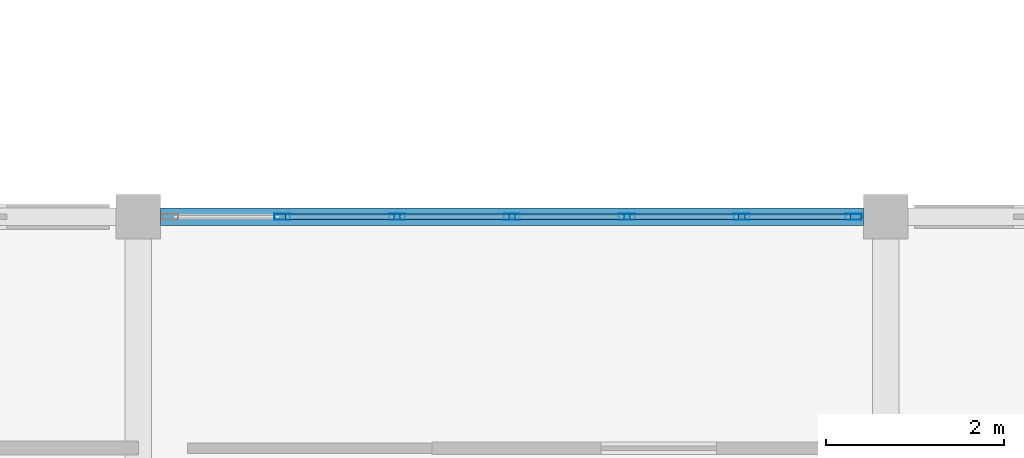
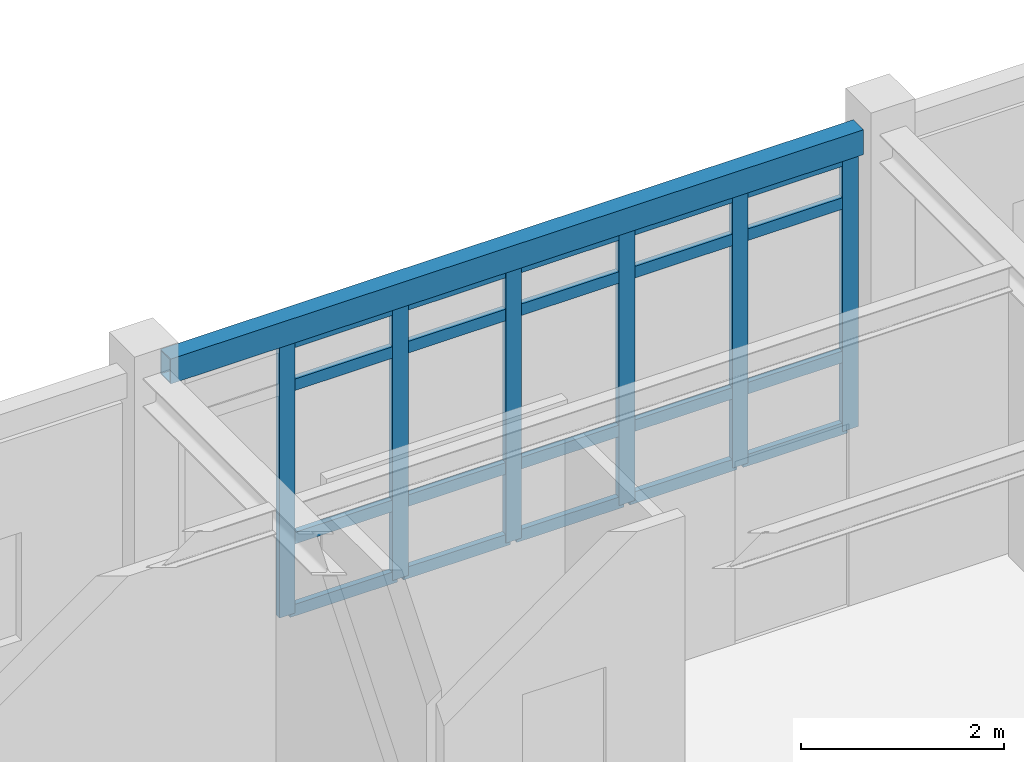
# One storey, part 36 of 86: 26 members, 1 beam, 1 element without a shape of its own.
"""IFC4 building model written with IfcOpenShell, lengths in metres."""

import ifcopenshell
import ifcopenshell.guid

model = None  # the IFC model being written
_history = None  # IfcOwnerHistory: only IFC2X3 demands one
_inside = {}  # id of a spatial element -> (the spatial element, [elements in it])
_under = {}  # id of a project, library or spatial element -> (it, [spatial elements below it])
_declared = {}  # id of a project -> (the project, [libraries it declares])
_typed = {}  # id of a type object -> (the type object, [elements of that type])
_made_of = {}  # id of a material, layer set ... -> (it, [elements and type objects made of it])


def new_model(schema):
    """Start an empty IFC model of exactly this schema.

    Asked for "IFC4X3", IfcOpenShell would pick the latest addendum, in which some entities
    have other attributes; the version numbers below select the first issue.
    IFC2X3 requires an IfcOwnerHistory on every rooted entity: one is made here for all.
    """
    global model, _history
    if schema == "IFC4X3":
        model = ifcopenshell.file(schema_version=(4, 3, 0, 0))
    else:
        model = ifcopenshell.file(schema=schema)
    _inside.clear()
    _under.clear()
    _declared.clear()
    _typed.clear()
    _made_of.clear()
    _history = None
    if model.schema == "IFC2X3":
        org = make("IfcOrganization", Name="unknown")
        user = make(
            "IfcPersonAndOrganization",
            ThePerson=make("IfcPerson", FamilyName="unknown"),
            TheOrganization=org,
        )
        app = make(
            "IfcApplication",
            ApplicationDeveloper=org,
            Version="unknown",
            ApplicationFullName="unknown",
            ApplicationIdentifier="unknown",
        )
        _history = make(
            "IfcOwnerHistory",
            OwningUser=user,
            OwningApplication=app,
            ChangeAction="ADDED",
            CreationDate=0,
        )
    return model


def make(cls, **values):
    """One entity of the class cls with the attributes given. An attribute that is None is left unset."""
    return model.create_entity(
        cls, **{name: value for name, value in values.items() if value is not None}
    )


def rooted(cls, **values):
    """An entity with a GlobalId (a new one), such as an element, a storey or a relation."""
    return make(cls, GlobalId=ifcopenshell.guid.new(), OwnerHistory=_history, **values)


def si_unit(unit_type, name, prefix=None):
    """IfcSIUnit, for example si_unit("LENGTHUNIT", "METRE", prefix="MILLI")."""
    return make("IfcSIUnit", UnitType=unit_type, Prefix=prefix, Name=name)


def assignment(units):
    """IfcUnitAssignment: the units of a project."""
    return None if units is None else make("IfcUnitAssignment", Units=units)


def point(xyz):
    """IfcCartesianPoint."""
    return None if xyz is None else make("IfcCartesianPoint", Coordinates=xyz)


def direction(xyz):
    """IfcDirection."""
    return None if xyz is None else make("IfcDirection", DirectionRatios=xyz)


def frame(location, z_axis=None, x_axis=None):
    """IfcAxis2Placement3D, a coordinate frame: its origin and axes. An axis left out is left unset."""
    return make(
        "IfcAxis2Placement3D",
        Location=point(location),
        Axis=direction(z_axis),
        RefDirection=direction(x_axis),
    )


def frame_2d(location, x_axis=None):
    """IfcAxis2Placement2D, a coordinate frame in the plane: its origin and x axis."""
    return make(
        "IfcAxis2Placement2D", Location=point(location), RefDirection=direction(x_axis)
    )


def origin():
    """The frame at (0, 0, 0) with its axes left unset."""
    return frame((0.0, 0.0, 0.0))


def origin_2d():
    """The frame at (0, 0) in the plane with its x axis left unset."""
    return frame_2d((0.0, 0.0))


def place(relative_to, where):
    """IfcLocalPlacement: puts the frame where relative to a parent placement (None: the world)."""
    return make(
        "IfcLocalPlacement", PlacementRelTo=relative_to, RelativePlacement=where
    )


def context(
    kind, dimensions, precision=None, world=None, true_north=None, identifier=None
):
    """IfcGeometricRepresentationContext, for example the 3D "Model" context."""
    return make(
        "IfcGeometricRepresentationContext",
        ContextIdentifier=identifier,
        ContextType=kind,
        CoordinateSpaceDimension=dimensions,
        Precision=precision,
        WorldCoordinateSystem=world,
        TrueNorth=true_north,
    )


def subcontext(parent, identifier, kind, view, scale=None):
    """IfcGeometricRepresentationSubContext, for example "Body" below "Model"."""
    return make(
        "IfcGeometricRepresentationSubContext",
        ContextIdentifier=identifier,
        ContextType=kind,
        ParentContext=parent,
        TargetScale=scale,
        TargetView=view,
    )


def project(units=None, contexts=None):
    """IfcProject with its units and contexts."""
    return rooted(
        "IfcProject",
        Name="project",
        RepresentationContexts=contexts,
        UnitsInContext=assignment(units),
    )


def spatial(cls, under=None, at=None, **own):
    """A site, building, storey or space (cls), placed at a placement, below another one or the project."""
    s = rooted(cls, ObjectPlacement=at, **own)
    if under is not None:
        _under.setdefault(under.id(), (under, []))[1].append(s)
    return s


def profile(cls, at=None, kind="AREA", **sizes):
    """A parametric profile (cls). Its sizes go by their IFC names, for example OverallWidth=200.0."""
    return make(cls, ProfileType=kind, Position=at, **sizes)


def hollow_rectangle(**sizes):
    """IfcRectangleHollowProfileDef."""
    return profile("IfcRectangleHollowProfileDef", **sizes)


def extrude(swept, where, along, depth):
    """IfcExtrudedAreaSolid: the profile swept, set in the frame where, extruded along a direction by depth."""
    return make(
        "IfcExtrudedAreaSolid",
        SweptArea=swept,
        Position=where,
        ExtrudedDirection=direction(along),
        Depth=depth,
    )


def shape(context_of_items, identifier, shape_type, items):
    """IfcShapeRepresentation: the items that make up one representation, for example the "Body"."""
    return make(
        "IfcShapeRepresentation",
        ContextOfItems=context_of_items,
        RepresentationIdentifier=identifier,
        RepresentationType=shape_type,
        Items=items,
    )


def material(Name=None, Category=None):
    """IfcMaterial."""
    return make("IfcMaterial", Name=Name, Category=Category)


def layer(
    of_material, thickness, ventilated=None, Name=None, Category=None, Priority=None
):
    """IfcMaterialLayer: one layer of a wall or slab, of a material (None: an air gap)."""
    return make(
        "IfcMaterialLayer",
        Material=of_material,
        LayerThickness=thickness,
        IsVentilated=ventilated,
        Name=Name,
        Category=Category,
        Priority=Priority,
    )


def layer_set(layers, Name=None):
    """IfcMaterialLayerSet."""
    return make("IfcMaterialLayerSet", MaterialLayers=layers, LayerSetName=Name)


def material_profile(
    of_material, cross_section, Name=None, Category=None, Priority=None
):
    """IfcMaterialProfile: a cross section and its material."""
    return make(
        "IfcMaterialProfile",
        Name=Name,
        Material=of_material,
        Profile=cross_section,
        Priority=Priority,
        Category=Category,
    )


def profile_set(profiles, Name=None, composite=None):
    """IfcMaterialProfileSet."""
    return make(
        "IfcMaterialProfileSet",
        Name=Name,
        MaterialProfiles=profiles,
        CompositeProfile=composite,
    )


def made_of(thing, what):
    """Note that an element or type object is made of a material, layer set ...; save() writes the relation."""
    if what is not None:
        _made_of.setdefault(what.id(), (what, []))[1].append(thing)
    return thing


def type_object(cls, material=None, **own):
    """A type object (cls), such as IfcWallType, which elements share."""
    return made_of(rooted(cls, **own), material)


def element(
    cls,
    number,
    at=None,
    inside=None,
    cuts=None,
    type_object=None,
    material=None,
    context=None,
    identifier="Body",
    shape_type=None,
    held_by="IfcProductDefinitionShape",
    body=None,
    shapes=None,
    **own,
):
    """One element of the class cls, such as IfcWall. Its Tag is "e" and its number.

    at: its placement. inside: the storey or other place that contains it. cuts: it is an
    opening in that element (IfcRelVoidsElement). A single representation is given by context,
    identifier, shape_type and body (its items); several are given by shapes. held_by: the class
    of the entity that holds the representations. save() writes the other relations.
    """
    e = rooted(cls, Tag="e%d" % number, ObjectPlacement=at, **own)
    if body is not None:
        shapes = [shape(context, identifier, shape_type, body)]
    if shapes is not None:
        e.Representation = make(held_by, Representations=shapes)
    if inside is not None:
        _inside.setdefault(inside.id(), (inside, []))[1].append(e)
    if cuts is not None:
        rooted(
            "IfcRelVoidsElement", RelatingBuildingElement=cuts, RelatedOpeningElement=e
        )
    if type_object is not None:
        _typed.setdefault(type_object.id(), (type_object, []))[1].append(e)
    return made_of(e, material)


def aggregate(whole, parts):
    """IfcRelAggregates: a whole, such as a stair, and the parts it consists of."""
    return rooted("IfcRelAggregates", RelatingObject=whole, RelatedObjects=parts)


def save(model, path):
    """Write the relations noted so far, then the file.

    IfcRelAggregates (storeys below a building ...), IfcRelContainedInSpatialStructure (elements
    in a storey), IfcRelDefinesByType, IfcRelAssociatesMaterial and IfcRelDeclares: one each for
    every whole, place, type object, material and project.
    """
    for whole, parts in _under.values():
        aggregate(whole, parts)
    for where, things in _inside.values():
        rooted(
            "IfcRelContainedInSpatialStructure",
            RelatedElements=things,
            RelatingStructure=where,
        )
    for kind, things in _typed.values():
        rooted("IfcRelDefinesByType", RelatedObjects=things, RelatingType=kind)
    for what, things in _made_of.values():
        rooted("IfcRelAssociatesMaterial", RelatedObjects=things, RelatingMaterial=what)
    for by, libraries in _declared.values():
        rooted("IfcRelDeclares", RelatingContext=by, RelatedDefinitions=libraries)
    model.write(path)


model = new_model("IFC4")

# Units and contexts
model_context = context("Model", 3, precision=1e-05, world=origin(), true_north=direction((0.0, 1.0)))
body_context = subcontext(model_context, "Body", "Model", "MODEL_VIEW")
ifc_project = project(units=[si_unit("LENGTHUNIT", "METRE"), si_unit("AREAUNIT", "SQUARE_METRE"), si_unit("VOLUMEUNIT", "CUBIC_METRE"), si_unit("PLANEANGLEUNIT", "RADIAN"), si_unit("MASSUNIT", "GRAM", prefix="KILO")], contexts=[model_context])

# Site, building, storey
site_placement = place(None, origin())
site = spatial("IfcSite", under=ifc_project, at=site_placement, CompositionType="ELEMENT")
building_placement = place(site_placement, origin())
building = spatial("IfcBuilding", under=site, at=building_placement, Name="Bramfleet General Hospital", CompositionType="ELEMENT")
storey_placement = place(building_placement, frame((0.0, 0.0, 18.60009765625)))
storey = spatial("IfcBuildingStorey", under=building, at=storey_placement, Name="L04", CompositionType="ELEMENT", Elevation=18.60009765625)

# Beam
ifc_material_1 = material(Name="Steel S355", Category="steel")
ifc_material_profile_1 = material_profile(ifc_material_1, hollow_rectangle(XDim=0.199951171875, YDim=0.300048828125, WallThickness=0.012451171875, at=origin_2d()), Name="RHS 300x200x12.5")
ifc_profile_set_1 = profile_set([ifc_material_profile_1], Name="Steel S355")
beam_type = type_object("IfcBeamType", Name="BM-RHS300", PredefinedType="SPANDREL", material=ifc_profile_set_1)
beam_placement = place(storey_placement, frame((151.449951171875, 25.199951171875, 3.4599609375), z_axis=(1.0, 0.0, 0.0), x_axis=(0.0, 1.0, 0.0)))
element("IfcBeam", 1, at=beam_placement, inside=storey, type_object=beam_type, Name="L04 Grid Beam X 18-03", PredefinedType="SPANDREL", context=body_context, shape_type="SweptSolid", body=[
    extrude(hollow_rectangle(XDim=0.199951171875, YDim=0.300048828125, WallThickness=0.012451171875, at=origin_2d()), origin(), (0.0, 0.0, 1.0), 7.900146484375),
])

# Curtain wall, members
ifc_material_2 = material(Name="Anodised aluminium and low-E triple glazing", Category="aluminium")
ifc_layer = layer(ifc_material_2, 0.179931640625, Name="CWT-CW-14")
ifc_layer_set = layer_set([ifc_layer], Name="Anodised aluminium and low-E triple glazing")
curtain_wall_type = type_object("IfcCurtainWallType", Name="CWT-CW-14", PredefinedType="USERDEFINED", material=ifc_layer_set)
curtain_wall_placement = place(storey_placement, origin())
curtain_wall = element("IfcCurtainWall", 2, at=curtain_wall_placement, inside=storey, type_object=curtain_wall_type, Name="L04 Curtain Wall 194", ObjectType="Stick curtain wall", PredefinedType="USERDEFINED")
ifc_material_3 = material(Name="Anodised aluminium EN AW-6060", Category="aluminium")
ifc_material_profile_2 = material_profile(ifc_material_3, hollow_rectangle(XDim=0.070068359375, YDim=0.179931640625, WallThickness=0.00390625, at=origin_2d()), Name="ALU 180x70x4.0")
ifc_profile_set_2 = profile_set([ifc_material_profile_2], Name="Anodised aluminium EN AW-6060")
member_type_1 = type_object("IfcMemberType", Name="CWM-ALU180", PredefinedType="MULLION", material=ifc_profile_set_2)
member_1_placement = place(storey_placement, frame((152.816650390625, 25.199951171875, 0.0), z_axis=(0.0, 0.0, 1.0), x_axis=(0.0, 1.0, 0.0)))
member_1 = element("IfcMember", 3, at=member_1_placement, type_object=member_type_1, Name="CW-14 mullion 2", PredefinedType="MULLION", context=body_context, shape_type="SweptSolid", body=[
    extrude(hollow_rectangle(XDim=0.070068359375, YDim=0.179931640625, WallThickness=0.00390625, at=origin_2d()), origin(), (0.0, 0.0, 1.0), 3.2998046875),
])
member_2_placement = place(storey_placement, frame((154.1083984375, 25.199951171875, 0.0), z_axis=(0.0, 0.0, 1.0), x_axis=(0.0, 1.0, 0.0)))
member_2 = element("IfcMember", 4, at=member_2_placement, type_object=member_type_1, Name="CW-14 mullion 3", PredefinedType="MULLION", context=body_context, shape_type="SweptSolid", body=[
    extrude(hollow_rectangle(XDim=0.070068359375, YDim=0.179931640625, WallThickness=0.00390625, at=origin_2d()), origin(), (0.0, 0.0, 1.0), 3.2998046875),
])
member_3_placement = place(storey_placement, frame((155.39990234375, 25.199951171875, 0.0), z_axis=(0.0, 0.0, 1.0), x_axis=(0.0, 1.0, 0.0)))
member_3 = element("IfcMember", 5, at=member_3_placement, type_object=member_type_1, Name="CW-14 mullion 4", PredefinedType="MULLION", context=body_context, shape_type="SweptSolid", body=[
    extrude(hollow_rectangle(XDim=0.070068359375, YDim=0.179931640625, WallThickness=0.00390625, at=origin_2d()), origin(), (0.0, 0.0, 1.0), 3.2998046875),
])
member_4_placement = place(storey_placement, frame((156.691650390625, 25.199951171875, 0.0), z_axis=(0.0, 0.0, 1.0), x_axis=(0.0, 1.0, 0.0)))
member_4 = element("IfcMember", 6, at=member_4_placement, type_object=member_type_1, Name="CW-14 mullion 5", PredefinedType="MULLION", context=body_context, shape_type="SweptSolid", body=[
    extrude(hollow_rectangle(XDim=0.070068359375, YDim=0.179931640625, WallThickness=0.00390625, at=origin_2d()), origin(), (0.0, 0.0, 1.0), 3.2998046875),
])
member_5_placement = place(storey_placement, frame((157.9833984375, 25.199951171875, 0.0), z_axis=(0.0, 0.0, 1.0), x_axis=(0.0, 1.0, 0.0)))
member_5 = element("IfcMember", 7, at=member_5_placement, type_object=member_type_1, Name="CW-14 mullion 6", PredefinedType="MULLION", context=body_context, shape_type="SweptSolid", body=[
    extrude(hollow_rectangle(XDim=0.070068359375, YDim=0.179931640625, WallThickness=0.00390625, at=origin_2d()), origin(), (0.0, 0.0, 1.0), 3.2998046875),
])
member_6_placement = place(storey_placement, frame((159.239990234375, 25.199951171875, 0.0), z_axis=(0.0, 0.0, 1.0), x_axis=(0.0, 1.0, 0.0)))
member_6 = element("IfcMember", 8, at=member_6_placement, type_object=member_type_1, Name="CW-14 mullion 7", PredefinedType="MULLION", context=body_context, shape_type="SweptSolid", body=[
    extrude(hollow_rectangle(XDim=0.070068359375, YDim=0.179931640625, WallThickness=0.00390625, at=origin_2d()), origin(), (0.0, 0.0, 1.0), 3.2998046875),
])
ifc_material_profile_3 = material_profile(ifc_material_3, hollow_rectangle(XDim=0.06494140625, YDim=0.139892578125, WallThickness=0.00390625, at=origin_2d()), Name="ALU 140x65x4.0")
ifc_profile_set_3 = profile_set([ifc_material_profile_3], Name="Anodised aluminium EN AW-6060")
member_type_2 = type_object("IfcMemberType", Name="CWT-ALU140", PredefinedType="USERDEFINED", material=ifc_profile_set_3)
member_7_placement = place(storey_placement, frame((152.8515625, 25.199951171875, 0.032470703125), z_axis=(1.0, 0.0, 0.0), x_axis=(0.0, 1.0, 0.0)))
member_7 = element("IfcMember", 9, at=member_7_placement, type_object=member_type_2, Name="CW-14 transom 2.1", ObjectType="TRANSOM", PredefinedType="USERDEFINED", context=body_context, shape_type="SweptSolid", body=[
    extrude(hollow_rectangle(XDim=0.06494140625, YDim=0.139892578125, WallThickness=0.00390625, at=origin_2d()), origin(), (0.0, 0.0, 1.0), 1.2216796875),
])
member_8_placement = place(storey_placement, frame((152.8515625, 25.199951171875, 0.89990234375), z_axis=(1.0, 0.0, 0.0), x_axis=(0.0, 1.0, 0.0)))
member_8 = element("IfcMember", 10, at=member_8_placement, type_object=member_type_2, Name="CW-14 transom 2.2", ObjectType="TRANSOM", PredefinedType="USERDEFINED", context=body_context, shape_type="SweptSolid", body=[
    extrude(hollow_rectangle(XDim=0.06494140625, YDim=0.139892578125, WallThickness=0.00390625, at=origin_2d()), origin(), (0.0, 0.0, 1.0), 1.2216796875),
])
member_9_placement = place(storey_placement, frame((152.8515625, 25.199951171875, 2.75), z_axis=(1.0, 0.0, 0.0), x_axis=(0.0, 1.0, 0.0)))
member_9 = element("IfcMember", 11, at=member_9_placement, type_object=member_type_2, Name="CW-14 transom 2.3", ObjectType="TRANSOM", PredefinedType="USERDEFINED", context=body_context, shape_type="SweptSolid", body=[
    extrude(hollow_rectangle(XDim=0.06494140625, YDim=0.139892578125, WallThickness=0.00390625, at=origin_2d()), origin(), (0.0, 0.0, 1.0), 1.2216796875),
])
member_10_placement = place(storey_placement, frame((152.8515625, 25.199951171875, 3.267333984375), z_axis=(1.0, 0.0, 0.0), x_axis=(0.0, 1.0, 0.0)))
member_10 = element("IfcMember", 12, at=member_10_placement, type_object=member_type_2, Name="CW-14 transom 2.4", ObjectType="TRANSOM", PredefinedType="USERDEFINED", context=body_context, shape_type="SweptSolid", body=[
    extrude(hollow_rectangle(XDim=0.06494140625, YDim=0.139892578125, WallThickness=0.00390625, at=origin_2d()), origin(), (0.0, 0.0, 1.0), 1.2216796875),
])
member_11_placement = place(storey_placement, frame((154.143310546875, 25.199951171875, 0.032470703125), z_axis=(1.0, 0.0, 0.0), x_axis=(0.0, 1.0, 0.0)))
member_11 = element("IfcMember", 13, at=member_11_placement, type_object=member_type_2, Name="CW-14 transom 3.1", ObjectType="TRANSOM", PredefinedType="USERDEFINED", context=body_context, shape_type="SweptSolid", body=[
    extrude(hollow_rectangle(XDim=0.06494140625, YDim=0.139892578125, WallThickness=0.00390625, at=origin_2d()), origin(), (0.0, 0.0, 1.0), 1.2216796875),
])
member_12_placement = place(storey_placement, frame((154.143310546875, 25.199951171875, 0.89990234375), z_axis=(1.0, 0.0, 0.0), x_axis=(0.0, 1.0, 0.0)))
member_12 = element("IfcMember", 14, at=member_12_placement, type_object=member_type_2, Name="CW-14 transom 3.2", ObjectType="TRANSOM", PredefinedType="USERDEFINED", context=body_context, shape_type="SweptSolid", body=[
    extrude(hollow_rectangle(XDim=0.06494140625, YDim=0.139892578125, WallThickness=0.00390625, at=origin_2d()), origin(), (0.0, 0.0, 1.0), 1.2216796875),
])
member_13_placement = place(storey_placement, frame((154.143310546875, 25.199951171875, 2.75), z_axis=(1.0, 0.0, 0.0), x_axis=(0.0, 1.0, 0.0)))
member_13 = element("IfcMember", 15, at=member_13_placement, type_object=member_type_2, Name="CW-14 transom 3.3", ObjectType="TRANSOM", PredefinedType="USERDEFINED", context=body_context, shape_type="SweptSolid", body=[
    extrude(hollow_rectangle(XDim=0.06494140625, YDim=0.139892578125, WallThickness=0.00390625, at=origin_2d()), origin(), (0.0, 0.0, 1.0), 1.2216796875),
])
member_14_placement = place(storey_placement, frame((154.143310546875, 25.199951171875, 3.267333984375), z_axis=(1.0, 0.0, 0.0), x_axis=(0.0, 1.0, 0.0)))
member_14 = element("IfcMember", 16, at=member_14_placement, type_object=member_type_2, Name="CW-14 transom 3.4", ObjectType="TRANSOM", PredefinedType="USERDEFINED", context=body_context, shape_type="SweptSolid", body=[
    extrude(hollow_rectangle(XDim=0.06494140625, YDim=0.139892578125, WallThickness=0.00390625, at=origin_2d()), origin(), (0.0, 0.0, 1.0), 1.2216796875),
])
member_15_placement = place(storey_placement, frame((155.43505859375, 25.199951171875, 0.032470703125), z_axis=(1.0, 0.0, 0.0), x_axis=(0.0, 1.0, 0.0)))
member_15 = element("IfcMember", 17, at=member_15_placement, type_object=member_type_2, Name="CW-14 transom 4.1", ObjectType="TRANSOM", PredefinedType="USERDEFINED", context=body_context, shape_type="SweptSolid", body=[
    extrude(hollow_rectangle(XDim=0.06494140625, YDim=0.139892578125, WallThickness=0.00390625, at=origin_2d()), origin(), (0.0, 0.0, 1.0), 1.2216796875),
])
member_16_placement = place(storey_placement, frame((155.43505859375, 25.199951171875, 0.89990234375), z_axis=(1.0, 0.0, 0.0), x_axis=(0.0, 1.0, 0.0)))
member_16 = element("IfcMember", 18, at=member_16_placement, type_object=member_type_2, Name="CW-14 transom 4.2", ObjectType="TRANSOM", PredefinedType="USERDEFINED", context=body_context, shape_type="SweptSolid", body=[
    extrude(hollow_rectangle(XDim=0.06494140625, YDim=0.139892578125, WallThickness=0.00390625, at=origin_2d()), origin(), (0.0, 0.0, 1.0), 1.2216796875),
])
member_17_placement = place(storey_placement, frame((155.43505859375, 25.199951171875, 2.75), z_axis=(1.0, 0.0, 0.0), x_axis=(0.0, 1.0, 0.0)))
member_17 = element("IfcMember", 19, at=member_17_placement, type_object=member_type_2, Name="CW-14 transom 4.3", ObjectType="TRANSOM", PredefinedType="USERDEFINED", context=body_context, shape_type="SweptSolid", body=[
    extrude(hollow_rectangle(XDim=0.06494140625, YDim=0.139892578125, WallThickness=0.00390625, at=origin_2d()), origin(), (0.0, 0.0, 1.0), 1.2216796875),
])
member_18_placement = place(storey_placement, frame((155.43505859375, 25.199951171875, 3.267333984375), z_axis=(1.0, 0.0, 0.0), x_axis=(0.0, 1.0, 0.0)))
member_18 = element("IfcMember", 20, at=member_18_placement, type_object=member_type_2, Name="CW-14 transom 4.4", ObjectType="TRANSOM", PredefinedType="USERDEFINED", context=body_context, shape_type="SweptSolid", body=[
    extrude(hollow_rectangle(XDim=0.06494140625, YDim=0.139892578125, WallThickness=0.00390625, at=origin_2d()), origin(), (0.0, 0.0, 1.0), 1.2216796875),
])
member_19_placement = place(storey_placement, frame((156.7265625, 25.199951171875, 0.032470703125), z_axis=(1.0, 0.0, 0.0), x_axis=(0.0, 1.0, 0.0)))
member_19 = element("IfcMember", 21, at=member_19_placement, type_object=member_type_2, Name="CW-14 transom 5.1", ObjectType="TRANSOM", PredefinedType="USERDEFINED", context=body_context, shape_type="SweptSolid", body=[
    extrude(hollow_rectangle(XDim=0.06494140625, YDim=0.139892578125, WallThickness=0.00390625, at=origin_2d()), origin(), (0.0, 0.0, 1.0), 1.2216796875),
])
member_20_placement = place(storey_placement, frame((156.7265625, 25.199951171875, 0.89990234375), z_axis=(1.0, 0.0, 0.0), x_axis=(0.0, 1.0, 0.0)))
member_20 = element("IfcMember", 22, at=member_20_placement, type_object=member_type_2, Name="CW-14 transom 5.2", ObjectType="TRANSOM", PredefinedType="USERDEFINED", context=body_context, shape_type="SweptSolid", body=[
    extrude(hollow_rectangle(XDim=0.06494140625, YDim=0.139892578125, WallThickness=0.00390625, at=origin_2d()), origin(), (0.0, 0.0, 1.0), 1.2216796875),
])
member_21_placement = place(storey_placement, frame((156.7265625, 25.199951171875, 2.75), z_axis=(1.0, 0.0, 0.0), x_axis=(0.0, 1.0, 0.0)))
member_21 = element("IfcMember", 23, at=member_21_placement, type_object=member_type_2, Name="CW-14 transom 5.3", ObjectType="TRANSOM", PredefinedType="USERDEFINED", context=body_context, shape_type="SweptSolid", body=[
    extrude(hollow_rectangle(XDim=0.06494140625, YDim=0.139892578125, WallThickness=0.00390625, at=origin_2d()), origin(), (0.0, 0.0, 1.0), 1.2216796875),
])
member_22_placement = place(storey_placement, frame((156.7265625, 25.199951171875, 3.267333984375), z_axis=(1.0, 0.0, 0.0), x_axis=(0.0, 1.0, 0.0)))
member_22 = element("IfcMember", 24, at=member_22_placement, type_object=member_type_2, Name="CW-14 transom 5.4", ObjectType="TRANSOM", PredefinedType="USERDEFINED", context=body_context, shape_type="SweptSolid", body=[
    extrude(hollow_rectangle(XDim=0.06494140625, YDim=0.139892578125, WallThickness=0.00390625, at=origin_2d()), origin(), (0.0, 0.0, 1.0), 1.2216796875),
])
member_23_placement = place(storey_placement, frame((158.018310546875, 25.199951171875, 0.032470703125), z_axis=(1.0, 0.0, 0.0), x_axis=(0.0, 1.0, 0.0)))
member_23 = element("IfcMember", 25, at=member_23_placement, type_object=member_type_2, Name="CW-14 transom 6.1", ObjectType="TRANSOM", PredefinedType="USERDEFINED", context=body_context, shape_type="SweptSolid", body=[
    extrude(hollow_rectangle(XDim=0.06494140625, YDim=0.139892578125, WallThickness=0.00390625, at=origin_2d()), origin(), (0.0, 0.0, 1.0), 1.186767578125),
])
member_24_placement = place(storey_placement, frame((158.018310546875, 25.199951171875, 0.89990234375), z_axis=(1.0, 0.0, 0.0), x_axis=(0.0, 1.0, 0.0)))
member_24 = element("IfcMember", 26, at=member_24_placement, type_object=member_type_2, Name="CW-14 transom 6.2", ObjectType="TRANSOM", PredefinedType="USERDEFINED", context=body_context, shape_type="SweptSolid", body=[
    extrude(hollow_rectangle(XDim=0.06494140625, YDim=0.139892578125, WallThickness=0.00390625, at=origin_2d()), origin(), (0.0, 0.0, 1.0), 1.186767578125),
])
member_25_placement = place(storey_placement, frame((158.018310546875, 25.199951171875, 2.75), z_axis=(1.0, 0.0, 0.0), x_axis=(0.0, 1.0, 0.0)))
member_25 = element("IfcMember", 27, at=member_25_placement, type_object=member_type_2, Name="CW-14 transom 6.3", ObjectType="TRANSOM", PredefinedType="USERDEFINED", context=body_context, shape_type="SweptSolid", body=[
    extrude(hollow_rectangle(XDim=0.06494140625, YDim=0.139892578125, WallThickness=0.00390625, at=origin_2d()), origin(), (0.0, 0.0, 1.0), 1.186767578125),
])
member_26_placement = place(storey_placement, frame((158.018310546875, 25.199951171875, 3.267333984375), z_axis=(1.0, 0.0, 0.0), x_axis=(0.0, 1.0, 0.0)))
member_26 = element("IfcMember", 28, at=member_26_placement, type_object=member_type_2, Name="CW-14 transom 6.4", ObjectType="TRANSOM", PredefinedType="USERDEFINED", context=body_context, shape_type="SweptSolid", body=[
    extrude(hollow_rectangle(XDim=0.06494140625, YDim=0.139892578125, WallThickness=0.00390625, at=origin_2d()), origin(), (0.0, 0.0, 1.0), 1.186767578125),
])
aggregate(curtain_wall, [member_1, member_2, member_3, member_4, member_5, member_6, member_7, member_8, member_9, member_10, member_11, member_12, member_13, member_14, member_15, member_16, member_17, member_18, member_19, member_20, member_21, member_22, member_23, member_24, member_25, member_26])

save(model, "model.ifc")
